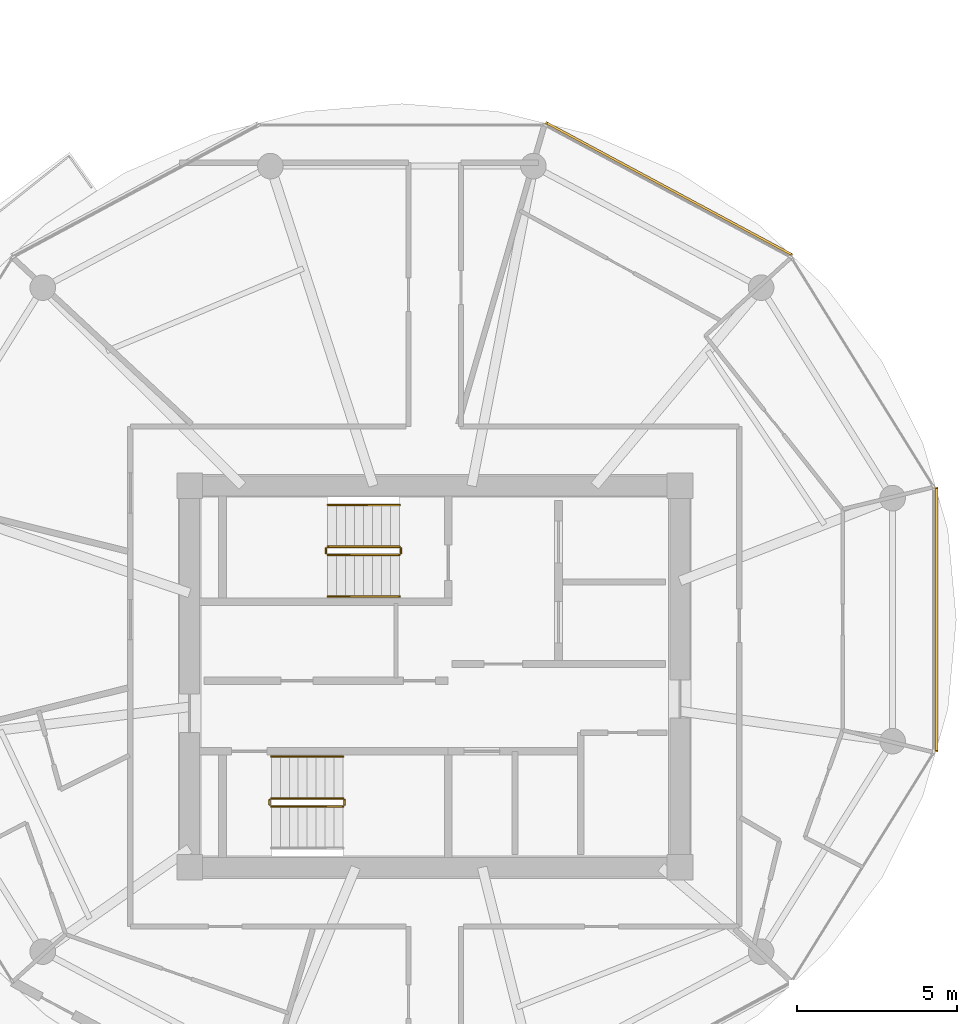
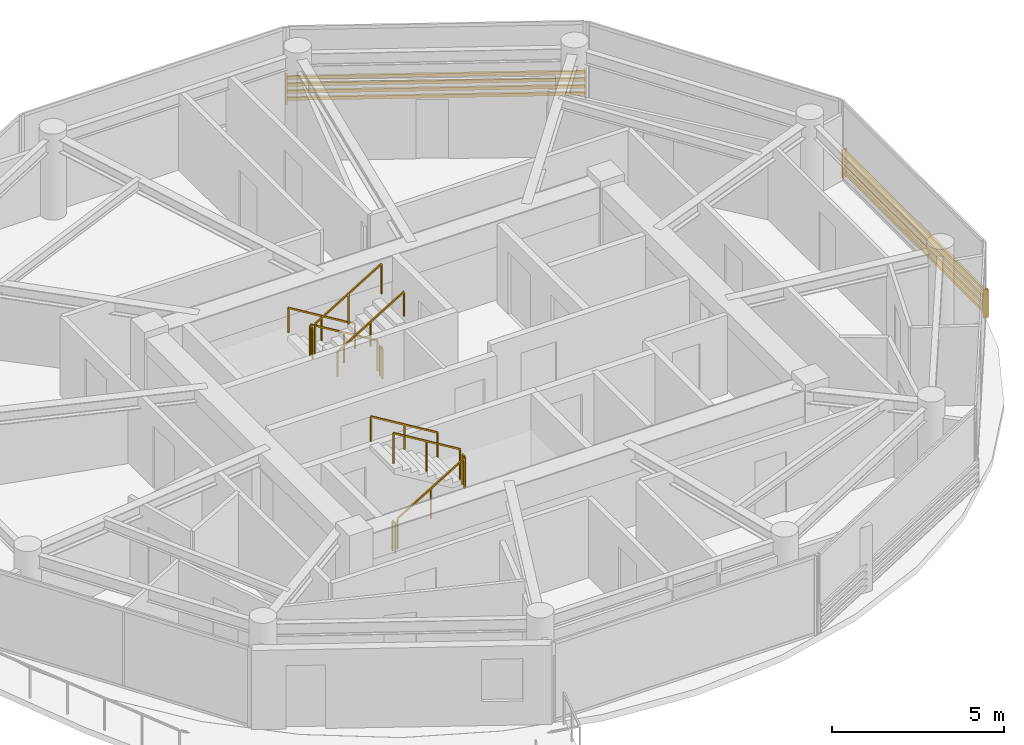
# One storey, part 21 of 21: 11 railings, 2 shading devices.
"""IFC4 building model written with IfcOpenShell, lengths in metres."""

from ifc_helpers import new_model, si_unit, direction, frame, origin, origin_2d, place, context, subcontext, project, spatial, rectangle, extrude, source, transform, mapped, material, type_object, type_shapes, element, save


model = new_model("IFC4")

# Units and contexts
model_context = context("Model", 3, precision=1e-05, world=origin(), true_north=direction((0.0, 1.0)))
body_context = subcontext(model_context, "Body", "Model", "MODEL_VIEW")
ifc_project = project(units=[si_unit("LENGTHUNIT", "METRE"), si_unit("AREAUNIT", "SQUARE_METRE"), si_unit("VOLUMEUNIT", "CUBIC_METRE"), si_unit("PLANEANGLEUNIT", "RADIAN"), si_unit("MASSUNIT", "GRAM", prefix="KILO")], contexts=[model_context])

# Site, building, storey
site_placement = place(None, origin())
site = spatial("IfcSite", under=ifc_project, at=site_placement, CompositionType="ELEMENT")
building_placement = place(site_placement, origin())
building = spatial("IfcBuilding", under=site, at=building_placement, Name="Norrkilde Senior Care Towers", CompositionType="ELEMENT")
storey_placement = place(building_placement, frame((0.0, 0.0, 140.39990234375)))
storey = spatial("IfcBuildingStorey", under=building, at=storey_placement, Name="L43", CompositionType="ELEMENT", Elevation=140.39990234375)

# Railings
ifc_material_1 = material(Name="Stainless Steel", Category="steel")
railing_type_1 = type_object("IfcRailingType", Name="Stair and Terrace Guardrail 1100", PredefinedType="GUARDRAIL", material=ifc_material_1)
railing_1_placement = place(storey_placement, frame((26.89990234375, 4.050048828125, 0.16943359375)))
element("IfcRailing", 1, at=railing_1_placement, inside=storey, type_object=railing_type_1, Name="L43 ST-E1 stair guard 1", PredefinedType="GUARDRAIL", context=body_context, shape_type="SweptSolid", body=[
    extrude(rectangle(XDim=0.048095703125, YDim=0.048095703125, at=origin_2d()), frame((0.0, 0.0, 1.076171875), z_axis=(-0.855512035549, 0.0, 0.517782924622), x_axis=(0.0, -1.0, 0.0)), (0.0, 0.0, 1.0), 2.618408203125),
    extrude(rectangle(XDim=0.0419921875, YDim=0.0419921875, at=origin_2d()), origin(), (0.0, 0.0, 1.0), 1.050048828125),
    extrude(rectangle(XDim=0.0419921875, YDim=0.0419921875, at=origin_2d()), frame((-1.1201171875, 0.0, 0.677734375)), (0.0, 0.0, 1.0), 1.050048828125),
    extrude(rectangle(XDim=0.0419921875, YDim=0.0419921875, at=origin_2d()), frame((-2.239990234375, 0.0, 1.355712890625)), (0.0, 0.0, 1.0), 1.050048828125),
])
railing_2_placement = place(storey_placement, frame((24.610107421875, 4.0, 1.525146484375)))
element("IfcRailing", 2, at=railing_2_placement, inside=storey, type_object=railing_type_1, Name="L43 ST-E1 stair guard 2", PredefinedType="GUARDRAIL", context=body_context, shape_type="SweptSolid", body=[
    extrude(rectangle(XDim=0.048095703125, YDim=0.048095703125, at=origin_2d()), frame((0.0, 0.0, 1.076171875), z_axis=(0.0, -1.0, 0.0), x_axis=(1.0, 0.0, 0.0)), (0.0, 0.0, 1.0), 0.14990234375),
    extrude(rectangle(XDim=0.0419921875, YDim=0.0419921875, at=origin_2d()), origin(), (0.0, 0.0, 1.0), 1.050048828125),
    extrude(rectangle(XDim=0.0419921875, YDim=0.0419921875, at=origin_2d()), frame((0.0, -0.14990234375, 0.0)), (0.0, 0.0, 1.0), 1.050048828125),
])
railing_3_placement = place(storey_placement, frame((24.659912109375, 3.800048828125, 1.694580078125)))
element("IfcRailing", 3, at=railing_3_placement, inside=storey, type_object=railing_type_1, Name="L43 ST-E1 stair guard 3", PredefinedType="GUARDRAIL", context=body_context, shape_type="SweptSolid", body=[
    extrude(rectangle(XDim=0.048095703125, YDim=0.048095703125, at=origin_2d()), frame((0.0, 0.0, 1.076171875), z_axis=(0.855553338991, 0.0, 0.51771467445), x_axis=(0.0, 1.0, 0.0)), (0.0, 0.0, 1.0), 2.6181640625),
    extrude(rectangle(XDim=0.0419921875, YDim=0.0419921875, at=origin_2d()), origin(), (0.0, 0.0, 1.0), 1.050048828125),
    extrude(rectangle(XDim=0.0419921875, YDim=0.0419921875, at=origin_2d()), frame((1.1201171875, 0.0, 0.677734375)), (0.0, 0.0, 1.0), 1.050048828125),
    extrude(rectangle(XDim=0.0419921875, YDim=0.0419921875, at=origin_2d()), frame((2.239990234375, 0.0, 1.35546875)), (0.0, 0.0, 1.0), 1.050048828125),
])
railing_4_placement = place(storey_placement, frame((26.949951171875, 4.0, 0.0)))
element("IfcRailing", 4, at=railing_4_placement, inside=storey, type_object=railing_type_1, Name="L43 ST-E1 stair guard 4", PredefinedType="GUARDRAIL", context=body_context, shape_type="SweptSolid", body=[
    extrude(rectangle(XDim=0.048095703125, YDim=0.048095703125, at=origin_2d()), frame((0.0, 0.0, 1.076171875), z_axis=(0.0, -1.0, 0.0), x_axis=(1.0, 0.0, 0.0)), (0.0, 0.0, 1.0), 0.14990234375),
    extrude(rectangle(XDim=0.0419921875, YDim=0.0419921875, at=origin_2d()), origin(), (0.0, 0.0, 1.0), 1.050048828125),
    extrude(rectangle(XDim=0.0419921875, YDim=0.0419921875, at=origin_2d()), frame((0.0, -0.14990234375, 0.0)), (0.0, 0.0, 1.0), 1.050048828125),
])
railing_5_placement = place(storey_placement, frame((22.89990234375, -4.050048828125, 0.16943359375)))
element("IfcRailing", 5, at=railing_5_placement, inside=storey, type_object=railing_type_1, Name="L43 ST-E2 stair guard 1", PredefinedType="GUARDRAIL", context=body_context, shape_type="SweptSolid", body=[
    extrude(rectangle(XDim=0.048095703125, YDim=0.048095703125, at=origin_2d()), frame((0.0, 0.0, 1.076171875), z_axis=(0.855512035549, 0.0, 0.517782924622), x_axis=(0.0, 1.0, 0.0)), (0.0, 0.0, 1.0), 2.618408203125),
    extrude(rectangle(XDim=0.0419921875, YDim=0.0419921875, at=origin_2d()), origin(), (0.0, 0.0, 1.0), 1.050048828125),
    extrude(rectangle(XDim=0.0419921875, YDim=0.0419921875, at=origin_2d()), frame((1.1201171875, 0.0, 0.677734375)), (0.0, 0.0, 1.0), 1.050048828125),
    extrude(rectangle(XDim=0.0419921875, YDim=0.0419921875, at=origin_2d()), frame((2.239990234375, 0.0, 1.355712890625)), (0.0, 0.0, 1.0), 1.050048828125),
])
railing_6_placement = place(storey_placement, frame((25.18994140625, -4.0, 1.525146484375)))
element("IfcRailing", 6, at=railing_6_placement, inside=storey, type_object=railing_type_1, Name="L43 ST-E2 stair guard 2", PredefinedType="GUARDRAIL", context=body_context, shape_type="SweptSolid", body=[
    extrude(rectangle(XDim=0.048095703125, YDim=0.048095703125, at=origin_2d()), frame((0.0, 0.0, 1.076171875), z_axis=(0.0, 1.0, 0.0), x_axis=(-1.0, 0.0, 0.0)), (0.0, 0.0, 1.0), 0.14990234375),
    extrude(rectangle(XDim=0.0419921875, YDim=0.0419921875, at=origin_2d()), origin(), (0.0, 0.0, 1.0), 1.050048828125),
    extrude(rectangle(XDim=0.0419921875, YDim=0.0419921875, at=origin_2d()), frame((0.0, 0.14990234375, 0.0)), (0.0, 0.0, 1.0), 1.050048828125),
])
railing_7_placement = place(storey_placement, frame((25.139892578125, -3.800048828125, 1.694580078125)))
element("IfcRailing", 7, at=railing_7_placement, inside=storey, type_object=railing_type_1, Name="L43 ST-E2 stair guard 3", PredefinedType="GUARDRAIL", context=body_context, shape_type="SweptSolid", body=[
    extrude(rectangle(XDim=0.048095703125, YDim=0.048095703125, at=origin_2d()), frame((0.0, 0.0, 1.076171875), z_axis=(-0.855553338991, 0.0, 0.51771467445), x_axis=(0.0, -1.0, 0.0)), (0.0, 0.0, 1.0), 2.6181640625),
    extrude(rectangle(XDim=0.0419921875, YDim=0.0419921875, at=origin_2d()), origin(), (0.0, 0.0, 1.0), 1.050048828125),
    extrude(rectangle(XDim=0.0419921875, YDim=0.0419921875, at=origin_2d()), frame((-1.1201171875, 0.0, 0.677734375)), (0.0, 0.0, 1.0), 1.050048828125),
    extrude(rectangle(XDim=0.0419921875, YDim=0.0419921875, at=origin_2d()), frame((-2.239990234375, 0.0, 1.35546875)), (0.0, 0.0, 1.0), 1.050048828125),
])
railing_8_placement = place(storey_placement, frame((22.85009765625, -4.0, 0.0)))
element("IfcRailing", 8, at=railing_8_placement, inside=storey, type_object=railing_type_1, Name="L43 ST-E2 stair guard 4", PredefinedType="GUARDRAIL", context=body_context, shape_type="SweptSolid", body=[
    extrude(rectangle(XDim=0.048095703125, YDim=0.048095703125, at=origin_2d()), frame((0.0, 0.0, 1.076171875), z_axis=(0.0, 1.0, 0.0), x_axis=(-1.0, 0.0, 0.0)), (0.0, 0.0, 1.0), 0.14990234375),
    extrude(rectangle(XDim=0.0419921875, YDim=0.0419921875, at=origin_2d()), origin(), (0.0, 0.0, 1.0), 1.050048828125),
    extrude(rectangle(XDim=0.0419921875, YDim=0.0419921875, at=origin_2d()), frame((0.0, 0.14990234375, 0.0)), (0.0, 0.0, 1.0), 1.050048828125),
])
ifc_material_2 = material(Name="Nordic Ash Timber", Category="wood")
railing_type_2 = type_object("IfcRailingType", Name="Wall and Stair Handrail 900", PredefinedType="HANDRAIL", material=ifc_material_2)
railing_9_placement = place(storey_placement, frame((26.89990234375, 5.35009765625, 0.16943359375)))
element("IfcRailing", 9, at=railing_9_placement, inside=storey, type_object=railing_type_2, Name="L43 ST-E1 stair handrail 1", PredefinedType="HANDRAIL", context=body_context, shape_type="SweptSolid", body=[
    extrude(rectangle(XDim=0.048095703125, YDim=0.048095703125, at=origin_2d()), frame((0.0, 0.0, 0.8759765625), z_axis=(-0.855512035549, 0.0, 0.517782924622), x_axis=(0.0, -1.0, 0.0)), (0.0, 0.0, 1.0), 2.618408203125),
    extrude(rectangle(XDim=0.0419921875, YDim=0.0419921875, at=origin_2d()), origin(), (0.0, 0.0, 1.0), 0.849853515625),
    extrude(rectangle(XDim=0.0419921875, YDim=0.0419921875, at=origin_2d()), frame((-1.1201171875, 0.0, 0.677734375)), (0.0, 0.0, 1.0), 0.849853515625),
    extrude(rectangle(XDim=0.0419921875, YDim=0.0419921875, at=origin_2d()), frame((-2.239990234375, 0.0, 1.355712890625)), (0.0, 0.0, 1.0), 0.849853515625),
])
railing_10_placement = place(storey_placement, frame((24.659912109375, 2.5, 1.694580078125)))
element("IfcRailing", 10, at=railing_10_placement, inside=storey, type_object=railing_type_2, Name="L43 ST-E1 stair handrail 2", PredefinedType="HANDRAIL", context=body_context, shape_type="SweptSolid", body=[
    extrude(rectangle(XDim=0.048095703125, YDim=0.048095703125, at=origin_2d()), frame((0.0, 0.0, 0.8759765625), z_axis=(0.855553338991, 0.0, 0.51771467445), x_axis=(0.0, 1.0, 0.0)), (0.0, 0.0, 1.0), 2.6181640625),
    extrude(rectangle(XDim=0.0419921875, YDim=0.0419921875, at=origin_2d()), origin(), (0.0, 0.0, 1.0), 0.849853515625),
    extrude(rectangle(XDim=0.0419921875, YDim=0.0419921875, at=origin_2d()), frame((1.1201171875, 0.0, 0.677734375)), (0.0, 0.0, 1.0), 0.849853515625),
    extrude(rectangle(XDim=0.0419921875, YDim=0.0419921875, at=origin_2d()), frame((2.239990234375, 0.0, 1.35546875)), (0.0, 0.0, 1.0), 0.849853515625),
])
railing_11_placement = place(storey_placement, frame((25.139892578125, -2.5, 1.694580078125)))
element("IfcRailing", 11, at=railing_11_placement, inside=storey, type_object=railing_type_2, Name="L43 ST-E2 stair handrail 2", PredefinedType="HANDRAIL", context=body_context, shape_type="SweptSolid", body=[
    extrude(rectangle(XDim=0.048095703125, YDim=0.048095703125, at=origin_2d()), frame((0.0, 0.0, 0.8759765625), z_axis=(-0.855553338991, 0.0, 0.51771467445), x_axis=(0.0, -1.0, 0.0)), (0.0, 0.0, 1.0), 2.6181640625),
    extrude(rectangle(XDim=0.0419921875, YDim=0.0419921875, at=origin_2d()), origin(), (0.0, 0.0, 1.0), 0.849853515625),
    extrude(rectangle(XDim=0.0419921875, YDim=0.0419921875, at=origin_2d()), frame((-1.1201171875, 0.0, 0.677734375)), (0.0, 0.0, 1.0), 0.849853515625),
    extrude(rectangle(XDim=0.0419921875, YDim=0.0419921875, at=origin_2d()), frame((-2.239990234375, 0.0, 1.35546875)), (0.0, 0.0, 1.0), 0.849853515625),
])

# Shading devices
ifc_material_3 = material(Name="Architectural Terracotta", Category="masonry")
shading_device_type = type_object("IfcShadingDeviceType", Name="Horizontal Terracotta Baguette Rack", PredefinedType="USERDEFINED", material=ifc_material_3)
shared_shape_1 = source(origin(), body_context, "Body", "SweptSolid", [
    extrude(rectangle(XDim=0.070068359375, YDim=0.110107421875, at=origin_2d()), frame((0.0, 0.090087890625, 0.125), z_axis=(1.0, 0.0, 0.0), x_axis=(0.0, 1.0, 0.0)), (0.0, 0.0, 1.0), 8.74169921875),
    extrude(rectangle(XDim=0.070068359375, YDim=0.110107421875, at=origin_2d()), frame((0.0, 0.090087890625, 0.375), z_axis=(1.0, 0.0, 0.0), x_axis=(0.0, 1.0, 0.0)), (0.0, 0.0, 1.0), 8.74169921875),
    extrude(rectangle(XDim=0.070068359375, YDim=0.110107421875, at=origin_2d()), frame((0.0, 0.090087890625, 0.625), z_axis=(1.0, 0.0, 0.0), x_axis=(0.0, 1.0, 0.0)), (0.0, 0.0, 1.0), 8.74169921875),
    extrude(rectangle(XDim=0.070068359375, YDim=0.110107421875, at=origin_2d()), frame((0.0, 0.090087890625, 0.875), z_axis=(1.0, 0.0, 0.0), x_axis=(0.0, 1.0, 0.0)), (0.0, 0.0, 1.0), 8.74169921875),
    extrude(rectangle(XDim=0.050048828125, YDim=0.1552734375, at=origin_2d()), frame((0.02490234375, 0.047607421875, 0.0)), (0.0, 0.0, 1.0), 1.0),
    extrude(rectangle(XDim=0.050048828125, YDim=0.1552734375, at=origin_2d()), frame((8.716796875, 0.047607421875, 0.0)), (0.0, 0.0, 1.0), 1.0),
])
shading_device_1_placement = place(storey_placement, frame((31.421630859375, 17.2109375, 0.080078125), z_axis=(0.0, 0.0, 1.0), x_axis=(0.880997598168, -0.47313299447, 0.0)))
element("IfcShadingDevice", 12, at=shading_device_1_placement, inside=storey, type_object=shading_device_type, Name="L43 Drum E Terracotta Baguette Screen 01", ObjectType="BAGUETTE", PredefinedType="USERDEFINED", context=body_context, shape_type="MappedRepresentation", body=[
    mapped(shared_shape_1, transform((0.0, 0.0, 0.0), x_axis=(1.0, 0.0, 0.0), y_axis=(0.0, 1.0, 0.0), z_axis=(0.0, 0.0, 1.0), scale=1.0)),
])
shared_shape_2 = source(origin(), body_context, "Body", "SweptSolid", [
    extrude(rectangle(XDim=0.070068359375, YDim=0.110107421875, at=origin_2d()), frame((0.0, 0.090087890625, 0.125), z_axis=(1.0, 0.0, 0.0), x_axis=(0.0, 1.0, 0.0)), (0.0, 0.0, 1.0), 8.27197265625),
    extrude(rectangle(XDim=0.070068359375, YDim=0.110107421875, at=origin_2d()), frame((0.0, 0.090087890625, 0.375), z_axis=(1.0, 0.0, 0.0), x_axis=(0.0, 1.0, 0.0)), (0.0, 0.0, 1.0), 8.27197265625),
    extrude(rectangle(XDim=0.070068359375, YDim=0.110107421875, at=origin_2d()), frame((0.0, 0.090087890625, 0.625), z_axis=(1.0, 0.0, 0.0), x_axis=(0.0, 1.0, 0.0)), (0.0, 0.0, 1.0), 8.27197265625),
    extrude(rectangle(XDim=0.070068359375, YDim=0.110107421875, at=origin_2d()), frame((0.0, 0.090087890625, 0.875), z_axis=(1.0, 0.0, 0.0), x_axis=(0.0, 1.0, 0.0)), (0.0, 0.0, 1.0), 8.27197265625),
    extrude(rectangle(XDim=0.050048828125, YDim=0.1552734375, at=origin_2d()), frame((0.02490234375, 0.047607421875, 0.0)), (0.0, 0.0, 1.0), 1.0),
    extrude(rectangle(XDim=0.050048828125, YDim=0.1552734375, at=origin_2d()), frame((8.2470703125, 0.047607421875, 0.0)), (0.0, 0.0, 1.0), 1.0),
])
type_shapes(shading_device_type, [shared_shape_1, shared_shape_2])
shading_device_2_placement = place(storey_placement, frame((43.569580078125, 5.911376953125, 0.080078125), z_axis=(0.0, 0.0, 1.0), x_axis=(0.0, -1.0, 0.0)))
element("IfcShadingDevice", 13, at=shading_device_2_placement, inside=storey, type_object=shading_device_type, Name="L43 Drum E Terracotta Baguette Screen 11", ObjectType="BAGUETTE", PredefinedType="USERDEFINED", context=body_context, shape_type="MappedRepresentation", body=[
    mapped(shared_shape_2, transform((0.0, 0.0, 0.0), x_axis=(1.0, 0.0, 0.0), y_axis=(0.0, 1.0, 0.0), z_axis=(0.0, 0.0, 1.0), scale=1.0)),
])

save(model, "model.ifc")
